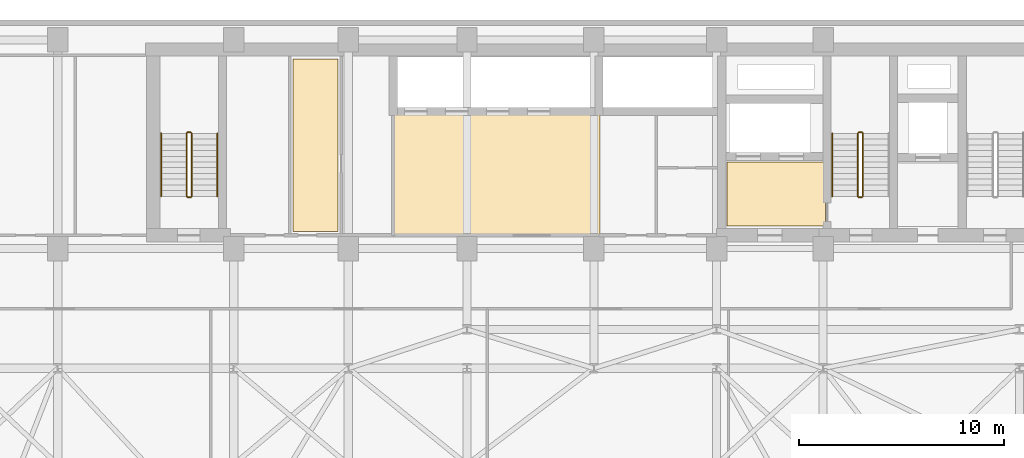
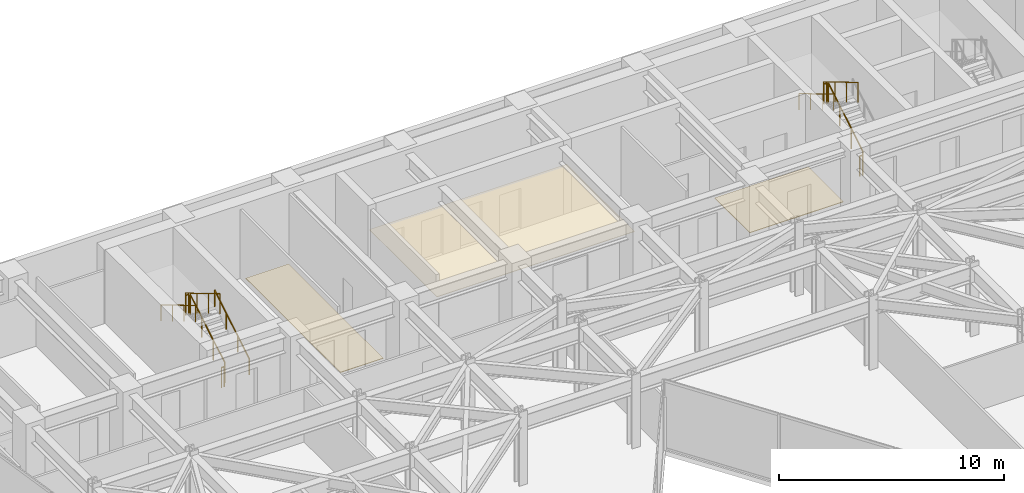
# One storey, part 25 of 26: 11 railings, 3 coverings.
"""IFC4 building model written with IfcOpenShell, lengths in metres."""

from ifc_helpers import new_model, si_unit, direction, frame, origin, origin_2d, place, context, subcontext, project, spatial, polyline, circle, outline, extrude, material, layer, layer_set, type_object, element, save


model = new_model("IFC4")

# Units and contexts
model_context = context("Model", 3, precision=1e-05, world=origin(), true_north=direction((0.0, 1.0)))
body_context = subcontext(model_context, "Body", "Model", "MODEL_VIEW")
ifc_project = project(units=[si_unit("LENGTHUNIT", "METRE"), si_unit("AREAUNIT", "SQUARE_METRE"), si_unit("VOLUMEUNIT", "CUBIC_METRE"), si_unit("PLANEANGLEUNIT", "RADIAN"), si_unit("MASSUNIT", "GRAM", prefix="KILO")], contexts=[model_context])

# Site, building, storey
site_placement = place(None, origin())
site = spatial("IfcSite", under=ifc_project, at=site_placement, CompositionType="ELEMENT")
building_placement = place(site_placement, origin())
building = spatial("IfcBuilding", under=site, at=building_placement, Name="Kravanh Interchange Tower", CompositionType="ELEMENT")
storey_placement = place(building_placement, frame((0.0, 0.0, 124.0)))
storey = spatial("IfcBuildingStorey", under=building, at=storey_placement, Name="L29", CompositionType="ELEMENT", Elevation=124.0)

# Coverings
ifc_material_1 = material(Name="Cementitious Terrazzo Tile")
ifc_layer_1 = layer(ifc_material_1, 0.030029296875)
ifc_layer_set_1 = layer_set([ifc_layer_1], Name="Honed Terrazzo Lobby Flooring 30mm")
covering_type_1 = type_object("IfcCoveringType", Name="Honed Terrazzo Lobby Flooring 30mm", PredefinedType="FLOORING", material=ifc_layer_set_1)
covering_1_placement = place(storey_placement, origin())
element("IfcCovering", 1, at=covering_1_placement, inside=storey, type_object=covering_type_1, Name="L29 Firefighting Lobby Floor Finish", PredefinedType="FLOORING", context=body_context, shape_type="SweptSolid", body=[
    extrude(outline(polyline([(56.1201171875, 38.4599609375), (51.300048828125, 38.4599609375), (51.300048828125, 41.580078125), (56.1201171875, 41.580078125), (56.1201171875, 38.4599609375)])), origin(), (0.0, 0.0, 1.0), 0.030029296875),
])
covering_2_placement = place(storey_placement, origin())
element("IfcCovering", 2, at=covering_2_placement, inside=storey, type_object=covering_type_1, Name="L29 First Aid and Lactation Room Floor Finish", PredefinedType="FLOORING", context=body_context, shape_type="SweptSolid", body=[
    extrude(outline(polyline([(30.10009765625, 46.6201171875), (32.300048828125, 46.6201171875), (32.300048828125, 38.179931640625), (30.10009765625, 38.179931640625), (30.10009765625, 46.6201171875)])), origin(), (0.0, 0.0, 1.0), 0.030029296875),
])
ifc_material_2 = material(Name="Acoustic Mineral Fibre Tile on Aluminium Grid", Category="aluminium")
ifc_layer_2 = layer(ifc_material_2, 0.02490234375)
ifc_layer_set_2 = layer_set([ifc_layer_2], Name="Perforated Acoustic Mineral Ceiling 25mm")
covering_type_2 = type_object("IfcCoveringType", Name="Perforated Acoustic Mineral Ceiling 25mm", PredefinedType="CEILING", material=ifc_layer_set_2)
covering_3_placement = place(storey_placement, frame((0.0, 0.0, 2.550048828125)))
element("IfcCovering", 3, at=covering_3_placement, inside=storey, type_object=covering_type_2, Name="L29 Mid-Rise Lift Lobby Suspended Ceiling", PredefinedType="CEILING", context=body_context, shape_type="SweptSolid", body=[
    extrude(outline(polyline([(45.090087890625, 37.9599609375), (34.93994140625, 37.9599609375), (34.93994140625, 43.989990234375), (45.090087890625, 43.989990234375), (45.090087890625, 37.9599609375)])), origin(), (0.0, 0.0, 1.0), 0.02490234375),
])

# Railings
ifc_material_3 = material(Name="Structural Steel S355", Category="steel")
ifc_layer_3 = layer(ifc_material_3, 0.050048828125)
ifc_layer_set_3 = layer_set([ifc_layer_3], Name="Stair Well Guardrail Structural Steel S355 1100mm")
railing_type_1 = type_object("IfcRailingType", Name="Stair Well Guardrail Structural Steel S355 1100mm", PredefinedType="GUARDRAIL", material=ifc_layer_set_3)
railing_1_placement = place(storey_placement, frame((57.949951171875, 39.89990234375, 0.166748046875)))
element("IfcRailing", 4, at=railing_1_placement, inside=storey, type_object=railing_type_1, Name="L29 ST2 stair guard 1", PredefinedType="GUARDRAIL", context=body_context, shape_type="SweptSolid", body=[
    extrude(circle(Radius=0.02392578125, at=origin_2d()), frame((0.0, 0.0, 1.076171875), z_axis=(0.0, 0.859308565015, 0.511457515432), x_axis=(-1.0, 0.0, 0.0)), (0.0, 0.0, 1.0), 3.58447265625),
    extrude(circle(Radius=0.02099609375, at=origin_2d()), origin(), (0.0, 0.0, 1.0), 1.052001953125),
    extrude(circle(Radius=0.02099609375, at=origin_2d()), frame((0.0, 1.026611328125, 0.611083984375)), (0.0, 0.0, 1.0), 1.052001953125),
    extrude(circle(Radius=0.02099609375, at=origin_2d()), frame((0.0, 2.053466796875, 1.22216796875)), (0.0, 0.0, 1.0), 1.052001953125),
    extrude(circle(Radius=0.02099609375, at=origin_2d()), frame((0.0, 3.080078125, 1.833251953125)), (0.0, 0.0, 1.0), 1.052001953125),
])
railing_2_placement = place(storey_placement, frame((57.89990234375, 43.030029296875, 2.0)))
element("IfcRailing", 5, at=railing_2_placement, inside=storey, type_object=railing_type_1, Name="L29 ST2 stair guard 2", PredefinedType="GUARDRAIL", context=body_context, shape_type="SweptSolid", body=[
    extrude(circle(Radius=0.02392578125, at=origin_2d()), frame((0.0, 0.0, 1.076171875), z_axis=(-1.0, 0.0, 0.0), x_axis=(0.0, -1.0, 0.0)), (0.0, 0.0, 1.0), 0.14990234375),
    extrude(circle(Radius=0.02099609375, at=origin_2d()), origin(), (0.0, 0.0, 1.0), 1.052001953125),
    extrude(circle(Radius=0.02099609375, at=origin_2d()), frame((-0.14990234375, 0.0, 0.0)), (0.0, 0.0, 1.0), 1.052001953125),
])
railing_3_placement = place(storey_placement, frame((57.699951171875, 42.97998046875, 2.166748046875)))
element("IfcRailing", 6, at=railing_3_placement, inside=storey, type_object=railing_type_1, Name="L29 ST2 stair guard 3", PredefinedType="GUARDRAIL", context=body_context, shape_type="SweptSolid", body=[
    extrude(circle(Radius=0.02392578125, at=origin_2d()), frame((0.0, 0.0, 1.076171875), z_axis=(0.0, -0.859308565015, 0.511457515432), x_axis=(1.0, 0.0, 0.0)), (0.0, 0.0, 1.0), 3.58447265625),
    extrude(circle(Radius=0.02099609375, at=origin_2d()), origin(), (0.0, 0.0, 1.0), 1.052001953125),
    extrude(circle(Radius=0.02099609375, at=origin_2d()), frame((0.0, -1.026611328125, 0.611083984375)), (0.0, 0.0, 1.0), 1.052001953125),
    extrude(circle(Radius=0.02099609375, at=origin_2d()), frame((0.0, -2.053466796875, 1.22216796875)), (0.0, 0.0, 1.0), 1.052001953125),
    extrude(circle(Radius=0.02099609375, at=origin_2d()), frame((0.0, -3.080078125, 1.833251953125)), (0.0, 0.0, 1.0), 1.052001953125),
])
railing_4_placement = place(storey_placement, frame((57.89990234375, 39.85009765625, 0.0)))
element("IfcRailing", 7, at=railing_4_placement, inside=storey, type_object=railing_type_1, Name="L29 ST2 stair guard 4", PredefinedType="GUARDRAIL", context=body_context, shape_type="SweptSolid", body=[
    extrude(circle(Radius=0.02392578125, at=origin_2d()), frame((0.0, 0.0, 1.076171875), z_axis=(-1.0, 0.0, 0.0), x_axis=(0.0, -1.0, 0.0)), (0.0, 0.0, 1.0), 0.14990234375),
    extrude(circle(Radius=0.02099609375, at=origin_2d()), origin(), (0.0, 0.0, 1.0), 1.052001953125),
    extrude(circle(Radius=0.02099609375, at=origin_2d()), frame((-0.14990234375, 0.0, 0.0)), (0.0, 0.0, 1.0), 1.052001953125),
])
railing_5_placement = place(storey_placement, frame((25.14990234375, 39.89990234375, 0.166748046875)))
element("IfcRailing", 8, at=railing_5_placement, inside=storey, type_object=railing_type_1, Name="L29 ST3 stair guard 1", PredefinedType="GUARDRAIL", context=body_context, shape_type="SweptSolid", body=[
    extrude(circle(Radius=0.02392578125, at=origin_2d()), frame((0.0, 0.0, 1.076171875), z_axis=(0.0, 0.859308565015, 0.511457515432), x_axis=(-1.0, 0.0, 0.0)), (0.0, 0.0, 1.0), 3.58447265625),
    extrude(circle(Radius=0.02099609375, at=origin_2d()), origin(), (0.0, 0.0, 1.0), 1.052001953125),
    extrude(circle(Radius=0.02099609375, at=origin_2d()), frame((0.0, 1.026611328125, 0.611083984375)), (0.0, 0.0, 1.0), 1.052001953125),
    extrude(circle(Radius=0.02099609375, at=origin_2d()), frame((0.0, 2.053466796875, 1.22216796875)), (0.0, 0.0, 1.0), 1.052001953125),
    extrude(circle(Radius=0.02099609375, at=origin_2d()), frame((0.0, 3.080078125, 1.833251953125)), (0.0, 0.0, 1.0), 1.052001953125),
])
railing_6_placement = place(storey_placement, frame((25.10009765625, 43.030029296875, 2.0)))
element("IfcRailing", 9, at=railing_6_placement, inside=storey, type_object=railing_type_1, Name="L29 ST3 stair guard 2", PredefinedType="GUARDRAIL", context=body_context, shape_type="SweptSolid", body=[
    extrude(circle(Radius=0.02392578125, at=origin_2d()), frame((0.0, 0.0, 1.076171875), z_axis=(-1.0, 0.0, 0.0), x_axis=(0.0, -1.0, 0.0)), (0.0, 0.0, 1.0), 0.150146484375),
    extrude(circle(Radius=0.02099609375, at=origin_2d()), origin(), (0.0, 0.0, 1.0), 1.052001953125),
    extrude(circle(Radius=0.02099609375, at=origin_2d()), frame((-0.150146484375, 0.0, 0.0)), (0.0, 0.0, 1.0), 1.052001953125),
])
railing_7_placement = place(storey_placement, frame((24.89990234375, 42.97998046875, 2.166748046875)))
element("IfcRailing", 10, at=railing_7_placement, inside=storey, type_object=railing_type_1, Name="L29 ST3 stair guard 3", PredefinedType="GUARDRAIL", context=body_context, shape_type="SweptSolid", body=[
    extrude(circle(Radius=0.02392578125, at=origin_2d()), frame((0.0, 0.0, 1.076171875), z_axis=(0.0, -0.859308565015, 0.511457515432), x_axis=(1.0, 0.0, 0.0)), (0.0, 0.0, 1.0), 3.58447265625),
    extrude(circle(Radius=0.02099609375, at=origin_2d()), origin(), (0.0, 0.0, 1.0), 1.052001953125),
    extrude(circle(Radius=0.02099609375, at=origin_2d()), frame((0.0, -1.026611328125, 0.611083984375)), (0.0, 0.0, 1.0), 1.052001953125),
    extrude(circle(Radius=0.02099609375, at=origin_2d()), frame((0.0, -2.053466796875, 1.22216796875)), (0.0, 0.0, 1.0), 1.052001953125),
    extrude(circle(Radius=0.02099609375, at=origin_2d()), frame((0.0, -3.080078125, 1.833251953125)), (0.0, 0.0, 1.0), 1.052001953125),
])
railing_8_placement = place(storey_placement, frame((25.10009765625, 39.85009765625, 0.0)))
element("IfcRailing", 11, at=railing_8_placement, inside=storey, type_object=railing_type_1, Name="L29 ST3 stair guard 4", PredefinedType="GUARDRAIL", context=body_context, shape_type="SweptSolid", body=[
    extrude(circle(Radius=0.02392578125, at=origin_2d()), frame((0.0, 0.0, 1.076171875), z_axis=(-1.0, 0.0, 0.0), x_axis=(0.0, -1.0, 0.0)), (0.0, 0.0, 1.0), 0.150146484375),
    extrude(circle(Radius=0.02099609375, at=origin_2d()), origin(), (0.0, 0.0, 1.0), 1.052001953125),
    extrude(circle(Radius=0.02099609375, at=origin_2d()), frame((-0.150146484375, 0.0, 0.0)), (0.0, 0.0, 1.0), 1.052001953125),
])
ifc_material_4 = material(Name="Stainless Steel 304", Category="steel")
ifc_layer_4 = layer(ifc_material_4, 0.044921875)
ifc_layer_set_4 = layer_set([ifc_layer_4], Name="Tubular Stair Handrail Stainless 304 900mm")
railing_type_2 = type_object("IfcRailingType", Name="Tubular Stair Handrail Stainless 304 900mm", PredefinedType="HANDRAIL", material=ifc_layer_set_4)
railing_9_placement = place(storey_placement, frame((56.449951171875, 42.97998046875, 2.166748046875)))
element("IfcRailing", 12, at=railing_9_placement, inside=storey, type_object=railing_type_2, Name="L29 ST2 stair handrail 2", PredefinedType="HANDRAIL", context=body_context, shape_type="SweptSolid", body=[
    extrude(circle(Radius=0.02392578125, at=origin_2d()), frame((0.0, 0.0, 0.8759765625), z_axis=(0.0, -0.859308565015, 0.511457515432), x_axis=(1.0, 0.0, 0.0)), (0.0, 0.0, 1.0), 3.58447265625),
    extrude(circle(Radius=0.02099609375, at=origin_2d()), origin(), (0.0, 0.0, 1.0), 0.851806640625),
    extrude(circle(Radius=0.02099609375, at=origin_2d()), frame((0.0, -1.026611328125, 0.611083984375)), (0.0, 0.0, 1.0), 0.851806640625),
    extrude(circle(Radius=0.02099609375, at=origin_2d()), frame((0.0, -2.053466796875, 1.22216796875)), (0.0, 0.0, 1.0), 0.851806640625),
    extrude(circle(Radius=0.02099609375, at=origin_2d()), frame((0.0, -3.080078125, 1.833251953125)), (0.0, 0.0, 1.0), 0.851806640625),
])
railing_10_placement = place(storey_placement, frame((26.39990234375, 39.89990234375, 0.166748046875)))
element("IfcRailing", 13, at=railing_10_placement, inside=storey, type_object=railing_type_2, Name="L29 ST3 stair handrail 1", PredefinedType="HANDRAIL", context=body_context, shape_type="SweptSolid", body=[
    extrude(circle(Radius=0.02392578125, at=origin_2d()), frame((0.0, 0.0, 0.8759765625), z_axis=(0.0, 0.859308565015, 0.511457515432), x_axis=(-1.0, 0.0, 0.0)), (0.0, 0.0, 1.0), 3.58447265625),
    extrude(circle(Radius=0.02099609375, at=origin_2d()), origin(), (0.0, 0.0, 1.0), 0.851806640625),
    extrude(circle(Radius=0.02099609375, at=origin_2d()), frame((0.0, 1.026611328125, 0.611083984375)), (0.0, 0.0, 1.0), 0.851806640625),
    extrude(circle(Radius=0.02099609375, at=origin_2d()), frame((0.0, 2.053466796875, 1.22216796875)), (0.0, 0.0, 1.0), 0.851806640625),
    extrude(circle(Radius=0.02099609375, at=origin_2d()), frame((0.0, 3.080078125, 1.833251953125)), (0.0, 0.0, 1.0), 0.851806640625),
])
railing_11_placement = place(storey_placement, frame((23.64990234375, 42.97998046875, 2.166748046875)))
element("IfcRailing", 14, at=railing_11_placement, inside=storey, type_object=railing_type_2, Name="L29 ST3 stair handrail 2", PredefinedType="HANDRAIL", context=body_context, shape_type="SweptSolid", body=[
    extrude(circle(Radius=0.02392578125, at=origin_2d()), frame((0.0, 0.0, 0.8759765625), z_axis=(0.0, -0.859308565015, 0.511457515432), x_axis=(1.0, 0.0, 0.0)), (0.0, 0.0, 1.0), 3.58447265625),
    extrude(circle(Radius=0.02099609375, at=origin_2d()), origin(), (0.0, 0.0, 1.0), 0.851806640625),
    extrude(circle(Radius=0.02099609375, at=origin_2d()), frame((0.0, -1.026611328125, 0.611083984375)), (0.0, 0.0, 1.0), 0.851806640625),
    extrude(circle(Radius=0.02099609375, at=origin_2d()), frame((0.0, -2.053466796875, 1.22216796875)), (0.0, 0.0, 1.0), 0.851806640625),
    extrude(circle(Radius=0.02099609375, at=origin_2d()), frame((0.0, -3.080078125, 1.833251953125)), (0.0, 0.0, 1.0), 0.851806640625),
])

save(model, "model.ifc")
